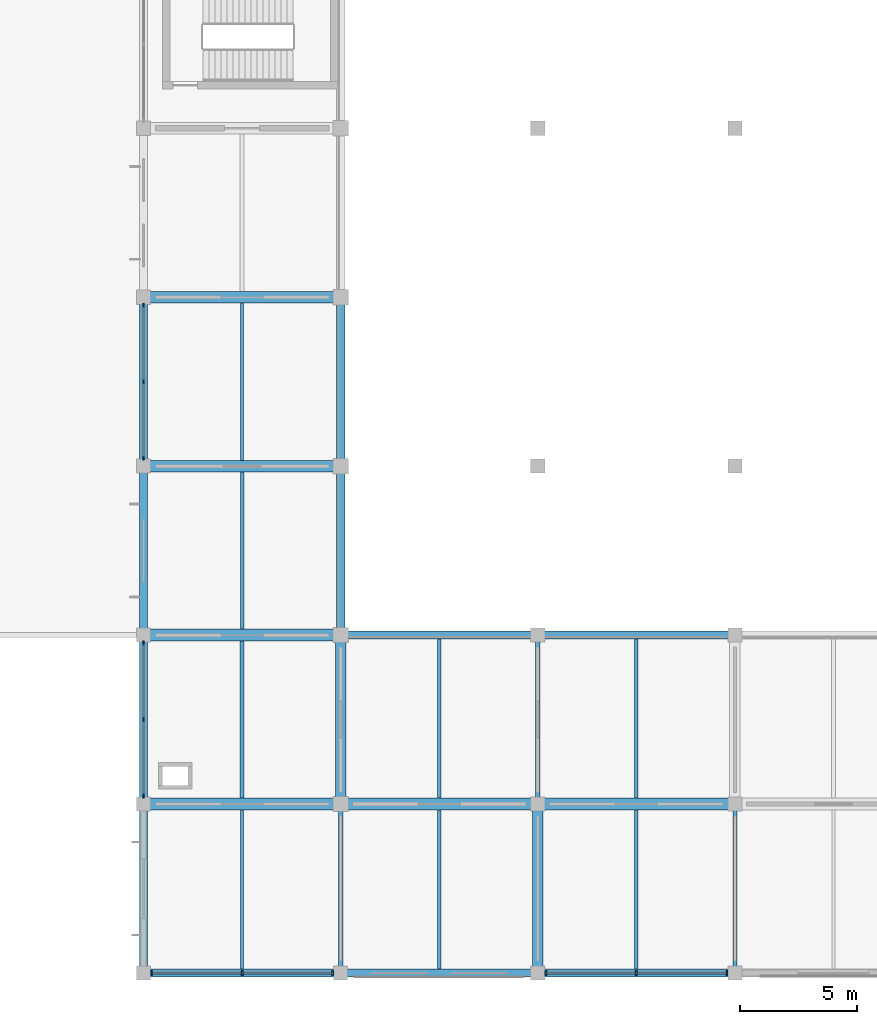
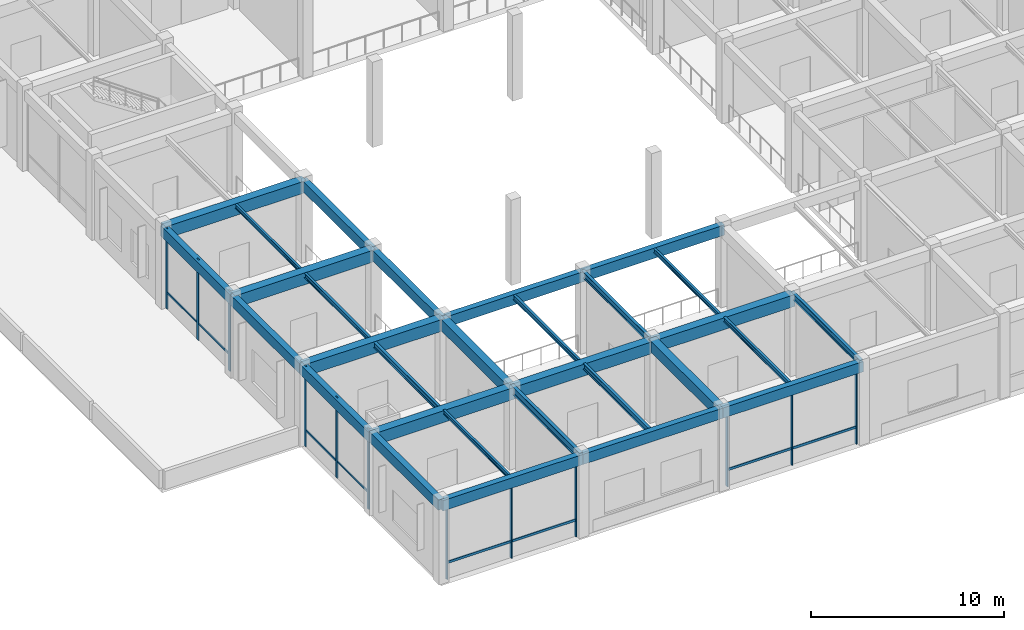
# One storey, part 2 of 38: 30 beams, 20 members, 4 elements without a shape of their own.
"""IFC4 building model written with IfcOpenShell, lengths in metres."""

from ifc_helpers import new_model, si_unit, derived_unit, direction, frame, origin, origin_2d, place, context, subcontext, project, spatial, rectangle, i_section, extrude, material, material_profile, profile_set, type_object, element, aggregate, save


model = new_model("IFC4")

# Units and contexts
model_context = context("Model", 3, precision=1e-05, world=origin(), true_north=direction((0.0, 1.0)))
body_context = subcontext(model_context, "Body", "Model", "MODEL_VIEW")
ifc_project = project(units=[si_unit("LENGTHUNIT", "METRE"), si_unit("AREAUNIT", "SQUARE_METRE"), si_unit("VOLUMEUNIT", "CUBIC_METRE"), si_unit("PLANEANGLEUNIT", "RADIAN"), si_unit("MASSUNIT", "GRAM", prefix="KILO"), derived_unit("THERMALTRANSMITTANCEUNIT", [(si_unit("MASSUNIT", "GRAM", prefix="KILO"), 1), (si_unit("TIMEUNIT", "SECOND"), -3), (si_unit("THERMODYNAMICTEMPERATUREUNIT", "KELVIN"), -1)])], contexts=[model_context])

# Site, building, storey
site_placement = place(None, origin())
site = spatial("IfcSite", under=ifc_project, at=site_placement, CompositionType="ELEMENT")
building_placement = place(site_placement, origin())
building = spatial("IfcBuilding", under=site, at=building_placement, Name="Veldstrom Oceanarium and Marine Research Institute", CompositionType="ELEMENT")
storey_placement = place(building_placement, frame((0.0, 0.0, 11.39990234375)))
storey = spatial("IfcBuildingStorey", under=building, at=storey_placement, Name="L02", CompositionType="ELEMENT", Elevation=11.39990234375)

# Curtain wall, members
ifc_material_1 = material(Name="Anodised Aluminium Framing", Category="aluminium")
curtain_wall_type_1 = type_object("IfcCurtainWallType", Name="ARC-CW-CW02", PredefinedType="USERDEFINED", material=ifc_material_1)
curtain_wall_1_placement = place(storey_placement, origin())
curtain_wall_1 = element("IfcCurtainWall", 1, at=curtain_wall_1_placement, inside=storey, type_object=curtain_wall_type_1, Name="Curtain Wall CW02 CW-L02-017", ObjectType="Curtain wall", PredefinedType="USERDEFINED")
ifc_material_2 = material(Name="Anodised Aluminium Framing", Category="aluminium")
ifc_material_profile_1 = material_profile(ifc_material_2, rectangle(XDim=0.074951171875, YDim=0.179931640625, at=origin_2d()), Name="ALU-MUL-75x180")
ifc_profile_set_1 = profile_set([ifc_material_profile_1], Name="Anodised Aluminium Framing")
member_type_1 = type_object("IfcMemberType", Name="ARC-MUL-ML1", PredefinedType="MULLION", material=ifc_profile_set_1)
member_1_placement = place(storey_placement, frame((8.739990234375, 0.0, 0.0), z_axis=(0.0, 0.0, 1.0), x_axis=(1.0, 0.0, 0.0)))
member_1 = element("IfcMember", 2, at=member_1_placement, type_object=member_type_1, Name="Curtain Wall Mullion CW-L02-017-MUL-1", PredefinedType="MULLION", context=body_context, shape_type="SweptSolid", body=[
    extrude(rectangle(XDim=0.074951171875, YDim=0.179931640625, at=origin_2d()), origin(), (0.0, 0.0, 1.0), 5.10009765625),
])
member_2_placement = place(storey_placement, frame((12.60009765625, 0.0, 0.0), z_axis=(0.0, 0.0, 1.0), x_axis=(1.0, 0.0, 0.0)))
member_2 = element("IfcMember", 3, at=member_2_placement, type_object=member_type_1, Name="Curtain Wall Mullion CW-L02-017-MUL-2", PredefinedType="MULLION", context=body_context, shape_type="SweptSolid", body=[
    extrude(rectangle(XDim=0.074951171875, YDim=0.179931640625, at=origin_2d()), origin(), (0.0, 0.0, 1.0), 5.10009765625),
])
member_3_placement = place(storey_placement, frame((16.4599609375, 0.0, 0.0), z_axis=(0.0, 0.0, 1.0), x_axis=(1.0, 0.0, 0.0)))
member_3 = element("IfcMember", 4, at=member_3_placement, type_object=member_type_1, Name="Curtain Wall Mullion CW-L02-017-MUL-3", PredefinedType="MULLION", context=body_context, shape_type="SweptSolid", body=[
    extrude(rectangle(XDim=0.074951171875, YDim=0.179931640625, at=origin_2d()), origin(), (0.0, 0.0, 1.0), 5.10009765625),
])

ifc_material_3 = material(Name="Anodised Aluminium Framing", Category="aluminium")
curtain_wall_type_2 = type_object("IfcCurtainWallType", Name="ARC-CW-CW06", PredefinedType="USERDEFINED", material=ifc_material_3)
curtain_wall_2_placement = place(storey_placement, origin())
curtain_wall_2 = element("IfcCurtainWall", 5, at=curtain_wall_2_placement, inside=storey, type_object=curtain_wall_type_2, Name="Curtain Wall CW06 CW-L02-018", ObjectType="Curtain wall", PredefinedType="USERDEFINED")
member_4_placement = place(storey_placement, frame((8.39990234375, 7.5400390625, 0.0), z_axis=(0.0, 0.0, 1.0), x_axis=(1.0, 0.0, 0.0)))
member_4 = element("IfcMember", 6, at=member_4_placement, type_object=member_type_1, Name="Curtain Wall Mullion CW-L02-018-MUL-1", PredefinedType="MULLION", context=body_context, shape_type="SweptSolid", body=[
    extrude(rectangle(XDim=0.074951171875, YDim=0.179931640625, at=origin_2d()), origin(), (0.0, 0.0, 1.0), 5.10009765625),
])
member_5_placement = place(storey_placement, frame((8.39990234375, 10.800048828125, 0.0), z_axis=(0.0, 0.0, 1.0), x_axis=(1.0, 0.0, 0.0)))
member_5 = element("IfcMember", 7, at=member_5_placement, type_object=member_type_1, Name="Curtain Wall Mullion CW-L02-018-MUL-2", PredefinedType="MULLION", context=body_context, shape_type="SweptSolid", body=[
    extrude(rectangle(XDim=0.074951171875, YDim=0.179931640625, at=origin_2d()), origin(), (0.0, 0.0, 1.0), 5.10009765625),
])
member_6_placement = place(storey_placement, frame((8.39990234375, 14.06005859375, 0.0), z_axis=(0.0, 0.0, 1.0), x_axis=(1.0, 0.0, 0.0)))
member_6 = element("IfcMember", 8, at=member_6_placement, type_object=member_type_1, Name="Curtain Wall Mullion CW-L02-018-MUL-3", PredefinedType="MULLION", context=body_context, shape_type="SweptSolid", body=[
    extrude(rectangle(XDim=0.074951171875, YDim=0.179931640625, at=origin_2d()), origin(), (0.0, 0.0, 1.0), 5.10009765625),
])

curtain_wall_3_placement = place(storey_placement, origin())
curtain_wall_3 = element("IfcCurtainWall", 9, at=curtain_wall_3_placement, inside=storey, type_object=curtain_wall_type_2, Name="Curtain Wall CW06 CW-L02-019", ObjectType="Curtain wall", PredefinedType="USERDEFINED")
member_7_placement = place(storey_placement, frame((8.39990234375, 21.93994140625, 0.0), z_axis=(0.0, 0.0, 1.0), x_axis=(1.0, 0.0, 0.0)))
member_7 = element("IfcMember", 10, at=member_7_placement, type_object=member_type_1, Name="Curtain Wall Mullion CW-L02-019-MUL-1", PredefinedType="MULLION", context=body_context, shape_type="SweptSolid", body=[
    extrude(rectangle(XDim=0.074951171875, YDim=0.179931640625, at=origin_2d()), origin(), (0.0, 0.0, 1.0), 5.10009765625),
])
member_8_placement = place(storey_placement, frame((8.39990234375, 25.199951171875, 0.0), z_axis=(0.0, 0.0, 1.0), x_axis=(1.0, 0.0, 0.0)))
member_8 = element("IfcMember", 11, at=member_8_placement, type_object=member_type_1, Name="Curtain Wall Mullion CW-L02-019-MUL-2", PredefinedType="MULLION", context=body_context, shape_type="SweptSolid", body=[
    extrude(rectangle(XDim=0.074951171875, YDim=0.179931640625, at=origin_2d()), origin(), (0.0, 0.0, 1.0), 5.10009765625),
])
member_9_placement = place(storey_placement, frame((8.39990234375, 28.4599609375, 0.0), z_axis=(0.0, 0.0, 1.0), x_axis=(1.0, 0.0, 0.0)))
member_9 = element("IfcMember", 12, at=member_9_placement, type_object=member_type_1, Name="Curtain Wall Mullion CW-L02-019-MUL-3", PredefinedType="MULLION", context=body_context, shape_type="SweptSolid", body=[
    extrude(rectangle(XDim=0.074951171875, YDim=0.179931640625, at=origin_2d()), origin(), (0.0, 0.0, 1.0), 5.10009765625),
])

curtain_wall_4_placement = place(storey_placement, origin())
curtain_wall_4 = element("IfcCurtainWall", 13, at=curtain_wall_4_placement, inside=storey, type_object=curtain_wall_type_1, Name="Curtain Wall CW02 CW-L02-023", ObjectType="Curtain wall", PredefinedType="USERDEFINED")
member_10_placement = place(storey_placement, frame((25.5400390625, 0.0, 0.0), z_axis=(0.0, 0.0, 1.0), x_axis=(1.0, 0.0, 0.0)))
member_10 = element("IfcMember", 14, at=member_10_placement, type_object=member_type_1, Name="Curtain Wall Mullion CW-L02-023-MUL-1", PredefinedType="MULLION", context=body_context, shape_type="SweptSolid", body=[
    extrude(rectangle(XDim=0.074951171875, YDim=0.179931640625, at=origin_2d()), origin(), (0.0, 0.0, 1.0), 5.10009765625),
])
member_11_placement = place(storey_placement, frame((29.39990234375, 0.0, 0.0), z_axis=(0.0, 0.0, 1.0), x_axis=(1.0, 0.0, 0.0)))
member_11 = element("IfcMember", 15, at=member_11_placement, type_object=member_type_1, Name="Curtain Wall Mullion CW-L02-023-MUL-2", PredefinedType="MULLION", context=body_context, shape_type="SweptSolid", body=[
    extrude(rectangle(XDim=0.074951171875, YDim=0.179931640625, at=origin_2d()), origin(), (0.0, 0.0, 1.0), 5.10009765625),
])
member_12_placement = place(storey_placement, frame((33.260009765625, 0.0, 0.0), z_axis=(0.0, 0.0, 1.0), x_axis=(1.0, 0.0, 0.0)))
member_12 = element("IfcMember", 16, at=member_12_placement, type_object=member_type_1, Name="Curtain Wall Mullion CW-L02-023-MUL-3", PredefinedType="MULLION", context=body_context, shape_type="SweptSolid", body=[
    extrude(rectangle(XDim=0.074951171875, YDim=0.179931640625, at=origin_2d()), origin(), (0.0, 0.0, 1.0), 5.10009765625),
])

# Member
ifc_material_4 = material(Name="Anodised Aluminium Framing", Category="aluminium")
ifc_material_profile_2 = material_profile(ifc_material_4, rectangle(XDim=0.074951171875, YDim=0.14990234375, at=origin_2d()), Name="ALU-TRN-75x150")
ifc_profile_set_2 = profile_set([ifc_material_profile_2], Name="Anodised Aluminium Framing")
member_type_2 = type_object("IfcMemberType", Name="ARC-TRN-TR1", PredefinedType="USERDEFINED", material=ifc_profile_set_2)
member_13_placement = place(storey_placement, frame((8.780029296875, 0.0, 1.050048828125), z_axis=(1.0, 0.0, 0.0), x_axis=(0.0, 1.0, 0.0)))
member_13 = element("IfcMember", 17, at=member_13_placement, type_object=member_type_2, Name="Curtain Wall Transom CW-L02-017-TRN-1", ObjectType="Transom", PredefinedType="USERDEFINED", context=body_context, shape_type="SweptSolid", body=[
    extrude(rectangle(XDim=0.074951171875, YDim=0.14990234375, at=origin_2d()), origin(), (0.0, 0.0, 1.0), 3.780029296875),
])

member_14_placement = place(storey_placement, frame((12.639892578125, 0.0, 1.050048828125), z_axis=(1.0, 0.0, 0.0), x_axis=(0.0, 1.0, 0.0)))
member_14 = element("IfcMember", 18, at=member_14_placement, type_object=member_type_2, Name="Curtain Wall Transom CW-L02-017-TRN-2", ObjectType="Transom", PredefinedType="USERDEFINED", context=body_context, shape_type="SweptSolid", body=[
    extrude(rectangle(XDim=0.074951171875, YDim=0.14990234375, at=origin_2d()), origin(), (0.0, 0.0, 1.0), 3.780029296875),
])

aggregate(curtain_wall_1, [member_1, member_2, member_3, member_13, member_14])

member_15_placement = place(storey_placement, frame((25.580078125, 0.0, 1.050048828125), z_axis=(1.0, 0.0, 0.0), x_axis=(0.0, 1.0, 0.0)))
member_15 = element("IfcMember", 19, at=member_15_placement, type_object=member_type_2, Name="Curtain Wall Transom CW-L02-023-TRN-1", ObjectType="Transom", PredefinedType="USERDEFINED", context=body_context, shape_type="SweptSolid", body=[
    extrude(rectangle(XDim=0.074951171875, YDim=0.14990234375, at=origin_2d()), origin(), (0.0, 0.0, 1.0), 3.780029296875),
])

member_16_placement = place(storey_placement, frame((29.43994140625, 0.0, 1.050048828125), z_axis=(1.0, 0.0, 0.0), x_axis=(0.0, 1.0, 0.0)))
member_16 = element("IfcMember", 20, at=member_16_placement, type_object=member_type_2, Name="Curtain Wall Transom CW-L02-023-TRN-2", ObjectType="Transom", PredefinedType="USERDEFINED", context=body_context, shape_type="SweptSolid", body=[
    extrude(rectangle(XDim=0.074951171875, YDim=0.14990234375, at=origin_2d()), origin(), (0.0, 0.0, 1.0), 3.780029296875),
])

aggregate(curtain_wall_4, [member_10, member_11, member_12, member_15, member_16])

ifc_material_5 = material(Name="Anodised Aluminium Framing", Category="aluminium")
ifc_material_profile_3 = material_profile(ifc_material_5, rectangle(XDim=0.06494140625, YDim=0.1201171875, at=origin_2d()), Name="ALU-TRN-65x120")
ifc_profile_set_3 = profile_set([ifc_material_profile_3], Name="Anodised Aluminium Framing")
member_type_3 = type_object("IfcMemberType", Name="ARC-TRN-TR2", PredefinedType="USERDEFINED", material=ifc_profile_set_3)
member_17_placement = place(storey_placement, frame((8.39990234375, 7.580078125, 1.050048828125), z_axis=(0.0, 1.0, 0.0), x_axis=(-1.0, 0.0, 0.0)))
member_17 = element("IfcMember", 21, at=member_17_placement, type_object=member_type_3, Name="Curtain Wall Transom CW-L02-018-TRN-1", ObjectType="Transom", PredefinedType="USERDEFINED", context=body_context, shape_type="SweptSolid", body=[
    extrude(rectangle(XDim=0.06494140625, YDim=0.1201171875, at=origin_2d()), origin(), (0.0, 0.0, 1.0), 3.179931640625),
])

member_18_placement = place(storey_placement, frame((8.39990234375, 10.840087890625, 1.050048828125), z_axis=(0.0, 1.0, 0.0), x_axis=(-1.0, 0.0, 0.0)))
member_18 = element("IfcMember", 22, at=member_18_placement, type_object=member_type_3, Name="Curtain Wall Transom CW-L02-018-TRN-2", ObjectType="Transom", PredefinedType="USERDEFINED", context=body_context, shape_type="SweptSolid", body=[
    extrude(rectangle(XDim=0.06494140625, YDim=0.1201171875, at=origin_2d()), origin(), (0.0, 0.0, 1.0), 3.179931640625),
])

aggregate(curtain_wall_2, [member_4, member_5, member_6, member_17, member_18])

member_19_placement = place(storey_placement, frame((8.39990234375, 21.97998046875, 1.050048828125), z_axis=(0.0, 1.0, 0.0), x_axis=(-1.0, 0.0, 0.0)))
member_19 = element("IfcMember", 23, at=member_19_placement, type_object=member_type_3, Name="Curtain Wall Transom CW-L02-019-TRN-1", ObjectType="Transom", PredefinedType="USERDEFINED", context=body_context, shape_type="SweptSolid", body=[
    extrude(rectangle(XDim=0.06494140625, YDim=0.1201171875, at=origin_2d()), origin(), (0.0, 0.0, 1.0), 3.179931640625),
])

member_20_placement = place(storey_placement, frame((8.39990234375, 25.239990234375, 1.050048828125), z_axis=(0.0, 1.0, 0.0), x_axis=(-1.0, 0.0, 0.0)))
member_20 = element("IfcMember", 24, at=member_20_placement, type_object=member_type_3, Name="Curtain Wall Transom CW-L02-019-TRN-2", ObjectType="Transom", PredefinedType="USERDEFINED", context=body_context, shape_type="SweptSolid", body=[
    extrude(rectangle(XDim=0.06494140625, YDim=0.1201171875, at=origin_2d()), origin(), (0.0, 0.0, 1.0), 3.179931640625),
])

aggregate(curtain_wall_3, [member_7, member_8, member_9, member_19, member_20])

# Beams
ifc_material_6 = material(Name="Concrete C40/50", Category="concrete")
ifc_material_profile_4 = material_profile(ifc_material_6, rectangle(XDim=0.5, YDim=0.75, at=origin_2d()), Name="RC-BM-500x750")
ifc_profile_set_4 = profile_set([ifc_material_profile_4], Name="Concrete C40/50")
beam_type_1 = type_object("IfcBeamType", Name="STR-BM-B03", PredefinedType="BEAM", material=ifc_profile_set_4)
for number, where, z_axis, x_axis, name in (
    (25, (8.39990234375, 7.199951171875, 4.72021484375), (1.0, 0.0, 0.0), (0.0, 1.0, 0.0), "Primary Beam B03 L02-1491"),
    (26, (8.39990234375, 14.39990234375, 4.72021484375), (1.0, 0.0, 0.0), (0.0, 1.0, 0.0), "Primary Beam B03 L02-1492"),
    (27, (8.39990234375, 21.60009765625, 4.72021484375), (1.0, 0.0, 0.0), (0.0, 1.0, 0.0), "Primary Beam B03 L02-1493"),
    (28, (8.39990234375, 28.800048828125, 4.72021484375), (1.0, 0.0, 0.0), (0.0, 1.0, 0.0), "Primary Beam B03 L02-1494"),
):
    element("IfcBeam", number, at=place(storey_placement, frame(where, z_axis=z_axis, x_axis=x_axis)), inside=storey, type_object=beam_type_1, Name=name, PredefinedType="BEAM", context=body_context, shape_type="SweptSolid", body=[
        extrude(rectangle(XDim=0.5, YDim=0.75, at=origin_2d()), origin(), (0.0, 0.0, 1.0), 8.400146484375),
    ])
beam_1_placement = place(storey_placement, frame((16.800048828125, 7.199951171875, 4.72021484375), z_axis=(1.0, 0.0, 0.0), x_axis=(0.0, 1.0, 0.0)))
element("IfcBeam", 29, at=beam_1_placement, inside=storey, type_object=beam_type_1, Name="Primary Beam B03 L02-1502", PredefinedType="BEAM", context=body_context, shape_type="SweptSolid", body=[
    extrude(rectangle(XDim=0.5, YDim=0.75, at=origin_2d()), origin(), (0.0, 0.0, 1.0), 8.39990234375),
])
beam_2_placement = place(storey_placement, frame((25.199951171875, 7.199951171875, 4.72021484375), z_axis=(1.0, 0.0, 0.0), x_axis=(0.0, 1.0, 0.0)))
element("IfcBeam", 30, at=beam_2_placement, inside=storey, type_object=beam_type_1, Name="Primary Beam B03 L02-1508", PredefinedType="BEAM", context=body_context, shape_type="SweptSolid", body=[
    extrude(rectangle(XDim=0.5, YDim=0.75, at=origin_2d()), origin(), (0.0, 0.0, 1.0), 8.400146484375),
])
ifc_material_7 = material(Name="Concrete C40/50", Category="concrete")
ifc_material_profile_5 = material_profile(ifc_material_7, rectangle(XDim=0.449951171875, YDim=0.699951171875, at=origin_2d()), Name="RC-BM-450x700")
ifc_profile_set_5 = profile_set([ifc_material_profile_5], Name="Concrete C40/50")
beam_type_2 = type_object("IfcBeamType", Name="STR-BM-B04", PredefinedType="BEAM", material=ifc_profile_set_5)
for number, where, z_axis, x_axis, name in (
    (31, (16.800048828125, 7.199951171875, 4.7451171875), (0.0, 1.0, 0.0), (-1.0, 0.0, 0.0), "Primary Beam B04 L02-1628"),
    (32, (25.199951171875, 0.0, 4.820068359375), (0.0, 1.0, 0.0), (-1.0, 0.0, 0.0), "Primary Beam B04 L02-1637"),
):
    element("IfcBeam", number, at=place(storey_placement, frame(where, z_axis=z_axis, x_axis=x_axis)), inside=storey, type_object=beam_type_2, Name=name, PredefinedType="BEAM", context=body_context, shape_type="SweptSolid", body=[
        extrude(rectangle(XDim=0.449951171875, YDim=0.699951171875, at=origin_2d()), origin(), (0.0, 0.0, 1.0), 7.199951171875),
    ])
ifc_material_8 = material(Name="Steel S355JR", Category="steel")
ifc_material_profile_6 = material_profile(ifc_material_8, i_section(OverallWidth=0.199951171875, OverallDepth=0.5, WebThickness=0.01025390625, FlangeThickness=0.01611328125, FilletRadius=0.02099609375, at=origin_2d()), Name="IPE 500")
ifc_profile_set_6 = profile_set([ifc_material_profile_6], Name="Steel S355JR")
beam_type_3 = type_object("IfcBeamType", Name="STR-BM-SB6", PredefinedType="BEAM", material=ifc_profile_set_6)
beam_3_placement = place(storey_placement, frame((16.800048828125, 0.0, 4.920166015625), z_axis=(0.0, 1.0, 0.0), x_axis=(-1.0, 0.0, 0.0)))
element("IfcBeam", 33, at=beam_3_placement, inside=storey, type_object=beam_type_3, Name="Steel Tie Beam SB6 L02-1627", PredefinedType="BEAM", context=body_context, shape_type="SweptSolid", body=[
    extrude(i_section(OverallWidth=0.199951171875, OverallDepth=0.5, WebThickness=0.01025390625, FlangeThickness=0.01611328125, FilletRadius=0.02099609375, at=origin_2d()), origin(), (0.0, 0.0, 1.0), 7.199951171875),
])
ifc_material_9 = material(Name="Steel S355JR", Category="steel")
ifc_material_profile_7 = material_profile(ifc_material_9, i_section(OverallWidth=0.179931640625, OverallDepth=0.39990234375, WebThickness=0.008544921875, FlangeThickness=0.013427734375, FilletRadius=0.02099609375, at=origin_2d()), Name="IPE 400")
ifc_profile_set_7 = profile_set([ifc_material_profile_7], Name="Steel S355JR")
beam_type_4 = type_object("IfcBeamType", Name="STR-BM-SB8", PredefinedType="BEAM", material=ifc_profile_set_7)
for number, where, z_axis, x_axis, name in (
    (34, (25.199951171875, 7.199951171875, 4.89501953125), (0.0, 1.0, 0.0), (-1.0, 0.0, 0.0), "Steel Tie Beam SB8 L02-1638"),
    (35, (33.60009765625, 0.0, 4.97021484375), (0.0, 1.0, 0.0), (-1.0, 0.0, 0.0), "Steel Tie Beam SB8 L02-1641"),
):
    element("IfcBeam", number, at=place(storey_placement, frame(where, z_axis=z_axis, x_axis=x_axis)), inside=storey, type_object=beam_type_4, Name=name, PredefinedType="BEAM", context=body_context, shape_type="SweptSolid", body=[
        extrude(i_section(OverallWidth=0.179931640625, OverallDepth=0.39990234375, WebThickness=0.008544921875, FlangeThickness=0.013427734375, FilletRadius=0.02099609375, at=origin_2d()), origin(), (0.0, 0.0, 1.0), 7.199951171875),
    ])
ifc_material_10 = material(Name="Steel S355JR", Category="steel")
ifc_material_profile_8 = material_profile(ifc_material_10, i_section(OverallWidth=0.169921875, OverallDepth=0.360107421875, WebThickness=0.008056640625, FlangeThickness=0.0126953125, FilletRadius=0.01806640625, at=origin_2d()), Name="IPE 360")
ifc_profile_set_8 = profile_set([ifc_material_profile_8], Name="Steel S355JR")
beam_type_5 = type_object("IfcBeamType", Name="STR-JST-SJ1", PredefinedType="JOIST", material=ifc_profile_set_8)
beam_4_placement = place(storey_placement, frame((12.60009765625, 7.449951171875, 4.9150390625), z_axis=(0.0, 1.0, 0.0), x_axis=(-1.0, 0.0, 0.0)))
element("IfcBeam", 36, at=beam_4_placement, inside=storey, type_object=beam_type_5, Name="Secondary Joist SJ1 L02-1742", PredefinedType="JOIST", context=body_context, shape_type="SweptSolid", body=[
    extrude(i_section(OverallWidth=0.169921875, OverallDepth=0.360107421875, WebThickness=0.008056640625, FlangeThickness=0.0126953125, FilletRadius=0.01806640625, at=origin_2d()), origin(), (0.0, 0.0, 1.0), 6.699951171875),
])
beam_5_placement = place(storey_placement, frame((21.0, 0.175048828125, 4.989990234375), z_axis=(0.0, 1.0, 0.0), x_axis=(-1.0, 0.0, 0.0)))
element("IfcBeam", 37, at=beam_5_placement, inside=storey, type_object=beam_type_5, Name="Secondary Joist SJ1 L02-1750", PredefinedType="JOIST", context=body_context, shape_type="SweptSolid", body=[
    extrude(i_section(OverallWidth=0.169921875, OverallDepth=0.360107421875, WebThickness=0.008056640625, FlangeThickness=0.0126953125, FilletRadius=0.01806640625, at=origin_2d()), origin(), (0.0, 0.0, 1.0), 6.77490234375),
])
ifc_material_11 = material(Name="Steel S355JR", Category="steel")
ifc_material_profile_9 = material_profile(ifc_material_11, i_section(OverallWidth=0.14990234375, OverallDepth=0.300048828125, WebThickness=0.007080078125, FlangeThickness=0.0107421875, FilletRadius=0.014892578125, at=origin_2d()), Name="IPE 300")
ifc_profile_set_9 = profile_set([ifc_material_profile_9], Name="Steel S355JR")
beam_type_6 = type_object("IfcBeamType", Name="STR-JST-SJ2", PredefinedType="JOIST", material=ifc_profile_set_9)
beam_6_placement = place(storey_placement, frame((12.60009765625, 14.64990234375, 4.945068359375), z_axis=(0.0, 1.0, 0.0), x_axis=(-1.0, 0.0, 0.0)))
element("IfcBeam", 38, at=beam_6_placement, inside=storey, type_object=beam_type_6, Name="Secondary Joist SJ2 L02-1743", PredefinedType="JOIST", context=body_context, shape_type="SweptSolid", body=[
    extrude(i_section(OverallWidth=0.14990234375, OverallDepth=0.300048828125, WebThickness=0.007080078125, FlangeThickness=0.0107421875, FilletRadius=0.014892578125, at=origin_2d()), origin(), (0.0, 0.0, 1.0), 6.7001953125),
])
beam_7_placement = place(storey_placement, frame((21.0, 7.449951171875, 4.945068359375), z_axis=(0.0, 1.0, 0.0), x_axis=(-1.0, 0.0, 0.0)))
element("IfcBeam", 39, at=beam_7_placement, inside=storey, type_object=beam_type_6, Name="Secondary Joist SJ2 L02-1751", PredefinedType="JOIST", context=body_context, shape_type="SweptSolid", body=[
    extrude(i_section(OverallWidth=0.14990234375, OverallDepth=0.300048828125, WebThickness=0.007080078125, FlangeThickness=0.0107421875, FilletRadius=0.014892578125, at=origin_2d()), origin(), (0.0, 0.0, 1.0), 6.775146484375),
])
beam_8_placement = place(storey_placement, frame((29.39990234375, 0.175048828125, 5.02001953125), z_axis=(0.0, 1.0, 0.0), x_axis=(-1.0, 0.0, 0.0)))
element("IfcBeam", 40, at=beam_8_placement, inside=storey, type_object=beam_type_6, Name="Secondary Joist SJ2 L02-1754", PredefinedType="JOIST", context=body_context, shape_type="SweptSolid", body=[
    extrude(i_section(OverallWidth=0.14990234375, OverallDepth=0.300048828125, WebThickness=0.007080078125, FlangeThickness=0.0107421875, FilletRadius=0.014892578125, at=origin_2d()), origin(), (0.0, 0.0, 1.0), 6.77490234375),
])
ifc_material_12 = material(Name="Steel S355JR", Category="steel")
ifc_material_profile_10 = material_profile(ifc_material_12, i_section(OverallWidth=0.135009765625, OverallDepth=0.27001953125, WebThickness=0.006591796875, FlangeThickness=0.01025390625, FilletRadius=0.014892578125, at=origin_2d()), Name="IPE 270")
ifc_profile_set_10 = profile_set([ifc_material_profile_10], Name="Steel S355JR")
beam_type_7 = type_object("IfcBeamType", Name="STR-JST-SJ3", PredefinedType="JOIST", material=ifc_profile_set_10)
beam_9_placement = place(storey_placement, frame((12.60009765625, 0.175048828125, 5.03515625), z_axis=(0.0, 1.0, 0.0), x_axis=(-1.0, 0.0, 0.0)))
element("IfcBeam", 41, at=beam_9_placement, inside=storey, type_object=beam_type_7, Name="Secondary Joist SJ3 L02-1741", PredefinedType="JOIST", context=body_context, shape_type="SweptSolid", body=[
    extrude(i_section(OverallWidth=0.135009765625, OverallDepth=0.27001953125, WebThickness=0.006591796875, FlangeThickness=0.01025390625, FilletRadius=0.014892578125, at=origin_2d()), origin(), (0.0, 0.0, 1.0), 6.77490234375),
])
beam_10_placement = place(storey_placement, frame((12.60009765625, 21.85009765625, 4.960205078125), z_axis=(0.0, 1.0, 0.0), x_axis=(-1.0, 0.0, 0.0)))
element("IfcBeam", 42, at=beam_10_placement, inside=storey, type_object=beam_type_7, Name="Secondary Joist SJ3 L02-1744", PredefinedType="JOIST", context=body_context, shape_type="SweptSolid", body=[
    extrude(i_section(OverallWidth=0.135009765625, OverallDepth=0.27001953125, WebThickness=0.006591796875, FlangeThickness=0.01025390625, FilletRadius=0.014892578125, at=origin_2d()), origin(), (0.0, 0.0, 1.0), 6.699951171875),
])
beam_11_placement = place(storey_placement, frame((29.39990234375, 7.449951171875, 4.960205078125), z_axis=(0.0, 1.0, 0.0), x_axis=(-1.0, 0.0, 0.0)))
element("IfcBeam", 43, at=beam_11_placement, inside=storey, type_object=beam_type_7, Name="Secondary Joist SJ3 L02-1755", PredefinedType="JOIST", context=body_context, shape_type="SweptSolid", body=[
    extrude(i_section(OverallWidth=0.135009765625, OverallDepth=0.27001953125, WebThickness=0.006591796875, FlangeThickness=0.01025390625, FilletRadius=0.014892578125, at=origin_2d()), origin(), (0.0, 0.0, 1.0), 6.775146484375),
])
ifc_material_13 = material(Name="Concrete C40/50", Category="concrete")
ifc_material_profile_11 = material_profile(ifc_material_13, rectangle(XDim=0.35009765625, YDim=0.64990234375, at=origin_2d()), Name="RC-SPN-350x650")
ifc_profile_set_11 = profile_set([ifc_material_profile_11], Name="Concrete C40/50")
beam_type_8 = type_object("IfcBeamType", Name="STR-SPN-SP1", PredefinedType="SPANDREL", material=ifc_profile_set_11)
beam_12_placement = place(storey_placement, frame((8.39990234375, 0.0, 4.84521484375), z_axis=(1.0, 0.0, 0.0), x_axis=(0.0, 1.0, 0.0)))
element("IfcBeam", 44, at=beam_12_placement, inside=storey, type_object=beam_type_8, Name="Perimeter Spandrel SPB1 L02-1490", PredefinedType="SPANDREL", context=body_context, shape_type="SweptSolid", body=[
    extrude(rectangle(XDim=0.35009765625, YDim=0.64990234375, at=origin_2d()), origin(), (0.0, 0.0, 1.0), 8.400146484375),
])
for number, where, z_axis, x_axis, name in (
    (45, (16.800048828125, 0.0, 4.84521484375), (1.0, 0.0, 0.0), (0.0, 1.0, 0.0), "Perimeter Spandrel SPB1 L02-1501"),
    (46, (16.800048828125, 14.39990234375, 4.77001953125), (1.0, 0.0, 0.0), (0.0, 1.0, 0.0), "Perimeter Spandrel SPB1 L02-1503"),
):
    element("IfcBeam", number, at=place(storey_placement, frame(where, z_axis=z_axis, x_axis=x_axis)), inside=storey, type_object=beam_type_8, Name=name, PredefinedType="SPANDREL", context=body_context, shape_type="SweptSolid", body=[
        extrude(rectangle(XDim=0.35009765625, YDim=0.64990234375, at=origin_2d()), origin(), (0.0, 0.0, 1.0), 8.39990234375),
    ])
for number, where, z_axis, x_axis, name in (
    (47, (25.199951171875, 0.0, 4.84521484375), (1.0, 0.0, 0.0), (0.0, 1.0, 0.0), "Perimeter Spandrel SPB1 L02-1507"),
    (48, (25.199951171875, 14.39990234375, 4.77001953125), (1.0, 0.0, 0.0), (0.0, 1.0, 0.0), "Perimeter Spandrel SPB1 L02-1509"),
):
    element("IfcBeam", number, at=place(storey_placement, frame(where, z_axis=z_axis, x_axis=x_axis)), inside=storey, type_object=beam_type_8, Name=name, PredefinedType="SPANDREL", context=body_context, shape_type="SweptSolid", body=[
        extrude(rectangle(XDim=0.35009765625, YDim=0.64990234375, at=origin_2d()), origin(), (0.0, 0.0, 1.0), 8.400146484375),
    ])
for number, where, z_axis, x_axis, name in (
    (49, (8.39990234375, 0.0, 4.84521484375), (0.0, 1.0, 0.0), (-1.0, 0.0, 0.0), "Perimeter Spandrel SPB1 L02-1617"),
    (50, (8.39990234375, 7.199951171875, 4.77001953125), (0.0, 1.0, 0.0), (-1.0, 0.0, 0.0), "Perimeter Spandrel SPB1 L02-1618"),
):
    element("IfcBeam", number, at=place(storey_placement, frame(where, z_axis=z_axis, x_axis=x_axis)), inside=storey, type_object=beam_type_8, Name=name, PredefinedType="SPANDREL", context=body_context, shape_type="SweptSolid", body=[
        extrude(rectangle(XDim=0.35009765625, YDim=0.64990234375, at=origin_2d()), origin(), (0.0, 0.0, 1.0), 7.199951171875),
    ])
beam_13_placement = place(storey_placement, frame((8.39990234375, 14.39990234375, 4.77001953125), z_axis=(0.0, 1.0, 0.0), x_axis=(-1.0, 0.0, 0.0)))
element("IfcBeam", 51, at=beam_13_placement, inside=storey, type_object=beam_type_8, Name="Perimeter Spandrel SPB1 L02-1619", PredefinedType="SPANDREL", context=body_context, shape_type="SweptSolid", body=[
    extrude(rectangle(XDim=0.35009765625, YDim=0.64990234375, at=origin_2d()), origin(), (0.0, 0.0, 1.0), 7.2001953125),
])
beam_14_placement = place(storey_placement, frame((8.39990234375, 21.60009765625, 4.77001953125), z_axis=(0.0, 1.0, 0.0), x_axis=(-1.0, 0.0, 0.0)))
element("IfcBeam", 52, at=beam_14_placement, inside=storey, type_object=beam_type_8, Name="Perimeter Spandrel SPB1 L02-1620", PredefinedType="SPANDREL", context=body_context, shape_type="SweptSolid", body=[
    extrude(rectangle(XDim=0.35009765625, YDim=0.64990234375, at=origin_2d()), origin(), (0.0, 0.0, 1.0), 7.199951171875),
])
beam_15_placement = place(storey_placement, frame((16.800048828125, 14.39990234375, 4.77001953125), z_axis=(0.0, 1.0, 0.0), x_axis=(-1.0, 0.0, 0.0)))
element("IfcBeam", 53, at=beam_15_placement, inside=storey, type_object=beam_type_8, Name="Perimeter Spandrel SPB1 L02-1629", PredefinedType="SPANDREL", context=body_context, shape_type="SweptSolid", body=[
    extrude(rectangle(XDim=0.35009765625, YDim=0.64990234375, at=origin_2d()), origin(), (0.0, 0.0, 1.0), 7.2001953125),
])
beam_16_placement = place(storey_placement, frame((16.800048828125, 21.60009765625, 4.77001953125), z_axis=(0.0, 1.0, 0.0), x_axis=(-1.0, 0.0, 0.0)))
element("IfcBeam", 54, at=beam_16_placement, inside=storey, type_object=beam_type_8, Name="Perimeter Spandrel SPB1 L02-1630", PredefinedType="SPANDREL", context=body_context, shape_type="SweptSolid", body=[
    extrude(rectangle(XDim=0.35009765625, YDim=0.64990234375, at=origin_2d()), origin(), (0.0, 0.0, 1.0), 7.199951171875),
])

save(model, "model.ifc")
